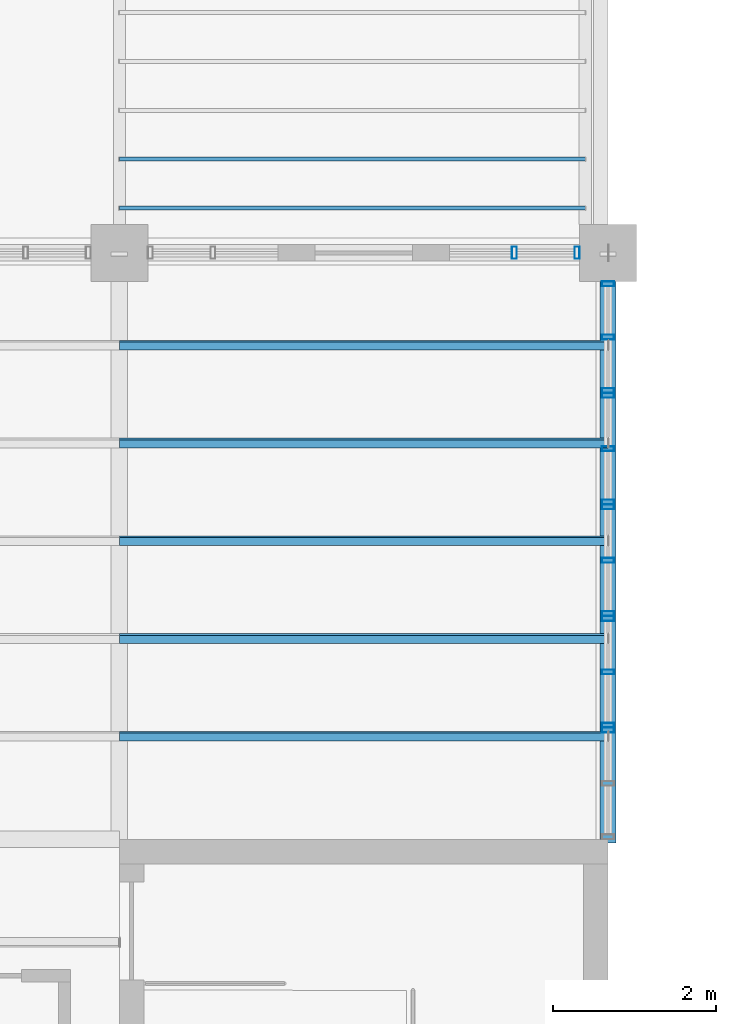
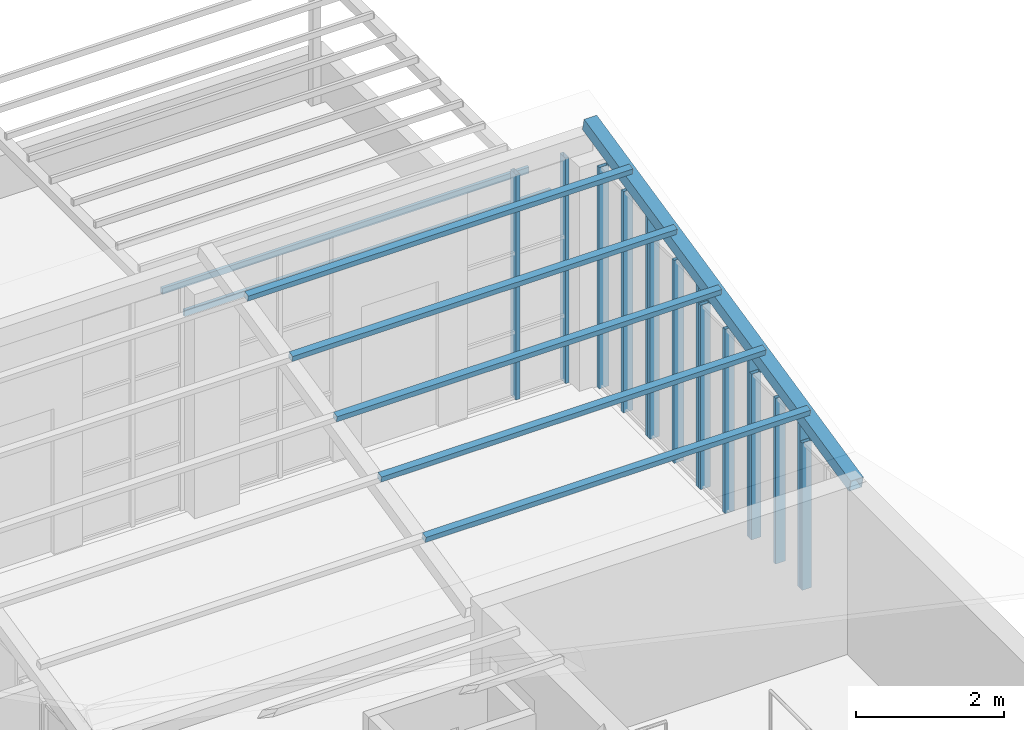
# One storey, part 23 of 51: 23 members, 6 elements without a shape of their own.
"""IFC4 building model written with IfcOpenShell, lengths in metres."""

from ifc_helpers import new_model, si_unit, direction, frame, origin, origin_2d, place, context, subcontext, project, spatial, hollow_rectangle, extrude, material, material_profile, profile_set, type_object, element, aggregate, save


model = new_model("IFC4")

# Units and contexts
model_context = context("Model", 3, precision=1e-05, world=origin(), true_north=direction((0.0, 1.0)))
body_context = subcontext(model_context, "Body", "Model", "MODEL_VIEW")
ifc_project = project(units=[si_unit("LENGTHUNIT", "METRE"), si_unit("AREAUNIT", "SQUARE_METRE"), si_unit("VOLUMEUNIT", "CUBIC_METRE"), si_unit("PLANEANGLEUNIT", "RADIAN"), si_unit("MASSUNIT", "GRAM", prefix="KILO")], contexts=[model_context])

# Site, building, storey
site_placement = place(None, origin())
site = spatial("IfcSite", under=ifc_project, at=site_placement, CompositionType="ELEMENT")
building_placement = place(site_placement, origin())
building = spatial("IfcBuilding", under=site, at=building_placement, Name="Laocheng Heights Fire and Rescue Headquarters", CompositionType="ELEMENT")
storey_placement = place(building_placement, frame((0.0, 0.0, 21.0)))
storey = spatial("IfcBuildingStorey", under=building, at=storey_placement, Name="L05", CompositionType="ELEMENT", Elevation=21.0)

# Curtain wall, member
ifc_material_1 = material(Name="Dark anodised aluminium unitised curtain wall, low-e double glazing", Category="aluminium")
curtain_wall_type_1 = type_object("IfcCurtainWallType", Name="CW 1370 x 2429 CREW LOUNGE END UNIT", PredefinedType="NOTDEFINED", material=ifc_material_1)
curtain_wall_1_placement = place(storey_placement, origin())
curtain_wall_1 = element("IfcCurtainWall", 1, at=curtain_wall_1_placement, inside=storey, type_object=curtain_wall_type_1, Name="X21-W CREW LOUNGE EAST 43 1", PredefinedType="NOTDEFINED")
ifc_material_2 = material(Name="Dark anodised aluminium 6063-T5 extrusion", Category="aluminium")
ifc_material_profile_1 = material_profile(ifc_material_2, hollow_rectangle(XDim=0.14990234375, YDim=0.06005859375, WallThickness=0.0029296875, at=origin_2d()), Name="AL MULLION 150x60x3 CREW LOUNGE END UNIT")
ifc_profile_set_1 = profile_set([ifc_material_profile_1], Name="Dark anodised aluminium 6063-T5 extrusion")
member_type_1 = type_object("IfcMemberType", Name="AL MULLION 150x60x3 CREW LOUNGE END UNIT", PredefinedType="MULLION", material=ifc_profile_set_1)
member_1_placement = place(storey_placement, frame((108.0, 44.5400390625, 0.0), z_axis=(0.0, 0.0, 1.0), x_axis=(-1.0, 0.0, 0.0)))
member_1 = element("IfcMember", 2, at=member_1_placement, type_object=member_type_1, Name="X21-W mullion 3", PredefinedType="MULLION", context=body_context, shape_type="SweptSolid", body=[
    extrude(hollow_rectangle(XDim=0.14990234375, YDim=0.06005859375, WallThickness=0.0029296875, at=origin_2d()), origin(), (0.0, 0.0, 1.0), 2.428955078125),
])
aggregate(curtain_wall_1, [member_1])

# Curtain wall, members
ifc_material_3 = material(Name="Dark anodised aluminium unitised curtain wall, low-e double glazing", Category="aluminium")
curtain_wall_type_2 = type_object("IfcCurtainWallType", Name="CW 1370 x 2733 CREW LOUNGE END UNIT", PredefinedType="NOTDEFINED", material=ifc_material_3)
curtain_wall_2_placement = place(storey_placement, origin())
curtain_wall_2 = element("IfcCurtainWall", 3, at=curtain_wall_2_placement, inside=storey, type_object=curtain_wall_type_2, Name="X22-W CREW LOUNGE EAST 43 2", PredefinedType="NOTDEFINED")
member_2_placement = place(storey_placement, frame((108.0, 44.60009765625, 0.0), z_axis=(0.0, 0.0, 1.0), x_axis=(-1.0, 0.0, 0.0)))
member_2 = element("IfcMember", 4, at=member_2_placement, type_object=member_type_1, Name="X22-W mullion 1", PredefinedType="MULLION", context=body_context, shape_type="SweptSolid", body=[
    extrude(hollow_rectangle(XDim=0.14990234375, YDim=0.06005859375, WallThickness=0.0029296875, at=origin_2d()), origin(), (0.0, 0.0, 1.0), 2.7333984375),
])
member_3_placement = place(storey_placement, frame((108.0, 45.2548828125, 0.0), z_axis=(0.0, 0.0, 1.0), x_axis=(-1.0, 0.0, 0.0)))
member_3 = element("IfcMember", 5, at=member_3_placement, type_object=member_type_1, Name="X22-W mullion 2", PredefinedType="MULLION", context=body_context, shape_type="SweptSolid", body=[
    extrude(hollow_rectangle(XDim=0.14990234375, YDim=0.06005859375, WallThickness=0.0029296875, at=origin_2d()), origin(), (0.0, 0.0, 1.0), 2.7333984375),
])
member_4_placement = place(storey_placement, frame((108.0, 45.909912109375, 0.0), z_axis=(0.0, 0.0, 1.0), x_axis=(-1.0, 0.0, 0.0)))
member_4 = element("IfcMember", 6, at=member_4_placement, type_object=member_type_1, Name="X22-W mullion 3", PredefinedType="MULLION", context=body_context, shape_type="SweptSolid", body=[
    extrude(hollow_rectangle(XDim=0.14990234375, YDim=0.06005859375, WallThickness=0.0029296875, at=origin_2d()), origin(), (0.0, 0.0, 1.0), 2.7333984375),
])
aggregate(curtain_wall_2, [member_2, member_3, member_4])

ifc_material_4 = material(Name="Dark anodised aluminium unitised curtain wall, low-e double glazing", Category="aluminium")
curtain_wall_type_3 = type_object("IfcCurtainWallType", Name="CW 1370 x 3038 CREW LOUNGE END UNIT", PredefinedType="NOTDEFINED", material=ifc_material_4)
curtain_wall_3_placement = place(storey_placement, origin())
curtain_wall_3 = element("IfcCurtainWall", 7, at=curtain_wall_3_placement, inside=storey, type_object=curtain_wall_type_3, Name="X23-W CREW LOUNGE EAST 43 3", PredefinedType="NOTDEFINED")
member_5_placement = place(storey_placement, frame((108.0, 45.969970703125, 0.0), z_axis=(0.0, 0.0, 1.0), x_axis=(-1.0, 0.0, 0.0)))
member_5 = element("IfcMember", 8, at=member_5_placement, type_object=member_type_1, Name="X23-W mullion 1", PredefinedType="MULLION", context=body_context, shape_type="SweptSolid", body=[
    extrude(hollow_rectangle(XDim=0.14990234375, YDim=0.06005859375, WallThickness=0.0029296875, at=origin_2d()), origin(), (0.0, 0.0, 1.0), 3.037841796875),
])
member_6_placement = place(storey_placement, frame((108.0, 46.625, 0.0), z_axis=(0.0, 0.0, 1.0), x_axis=(-1.0, 0.0, 0.0)))
member_6 = element("IfcMember", 9, at=member_6_placement, type_object=member_type_1, Name="X23-W mullion 2", PredefinedType="MULLION", context=body_context, shape_type="SweptSolid", body=[
    extrude(hollow_rectangle(XDim=0.14990234375, YDim=0.06005859375, WallThickness=0.0029296875, at=origin_2d()), origin(), (0.0, 0.0, 1.0), 3.037841796875),
])
member_7_placement = place(storey_placement, frame((108.0, 47.280029296875, 0.0), z_axis=(0.0, 0.0, 1.0), x_axis=(-1.0, 0.0, 0.0)))
member_7 = element("IfcMember", 10, at=member_7_placement, type_object=member_type_1, Name="X23-W mullion 3", PredefinedType="MULLION", context=body_context, shape_type="SweptSolid", body=[
    extrude(hollow_rectangle(XDim=0.14990234375, YDim=0.06005859375, WallThickness=0.0029296875, at=origin_2d()), origin(), (0.0, 0.0, 1.0), 3.037841796875),
])
aggregate(curtain_wall_3, [member_5, member_6, member_7])

ifc_material_5 = material(Name="Dark anodised aluminium unitised curtain wall, low-e double glazing", Category="aluminium")
curtain_wall_type_4 = type_object("IfcCurtainWallType", Name="CW 1370 x 3342 CREW LOUNGE END UNIT", PredefinedType="NOTDEFINED", material=ifc_material_5)
curtain_wall_4_placement = place(storey_placement, origin())
curtain_wall_4 = element("IfcCurtainWall", 11, at=curtain_wall_4_placement, inside=storey, type_object=curtain_wall_type_4, Name="X24-W CREW LOUNGE EAST 43 4", PredefinedType="NOTDEFINED")
member_8_placement = place(storey_placement, frame((108.0, 47.340087890625, 0.0), z_axis=(0.0, 0.0, 1.0), x_axis=(-1.0, 0.0, 0.0)))
member_8 = element("IfcMember", 12, at=member_8_placement, type_object=member_type_1, Name="X24-W mullion 1", PredefinedType="MULLION", context=body_context, shape_type="SweptSolid", body=[
    extrude(hollow_rectangle(XDim=0.14990234375, YDim=0.06005859375, WallThickness=0.0029296875, at=origin_2d()), origin(), (0.0, 0.0, 1.0), 3.34228515625),
])
member_9_placement = place(storey_placement, frame((108.0, 47.9951171875, 0.0), z_axis=(0.0, 0.0, 1.0), x_axis=(-1.0, 0.0, 0.0)))
member_9 = element("IfcMember", 13, at=member_9_placement, type_object=member_type_1, Name="X24-W mullion 2", PredefinedType="MULLION", context=body_context, shape_type="SweptSolid", body=[
    extrude(hollow_rectangle(XDim=0.14990234375, YDim=0.06005859375, WallThickness=0.0029296875, at=origin_2d()), origin(), (0.0, 0.0, 1.0), 3.34228515625),
])
member_10_placement = place(storey_placement, frame((108.0, 48.64990234375, 0.0), z_axis=(0.0, 0.0, 1.0), x_axis=(-1.0, 0.0, 0.0)))
member_10 = element("IfcMember", 14, at=member_10_placement, type_object=member_type_1, Name="X24-W mullion 3", PredefinedType="MULLION", context=body_context, shape_type="SweptSolid", body=[
    extrude(hollow_rectangle(XDim=0.14990234375, YDim=0.06005859375, WallThickness=0.0029296875, at=origin_2d()), origin(), (0.0, 0.0, 1.0), 3.34228515625),
])
aggregate(curtain_wall_4, [member_8, member_9, member_10])

ifc_material_6 = material(Name="Dark anodised aluminium unitised curtain wall, low-e double glazing", Category="aluminium")
curtain_wall_type_5 = type_object("IfcCurtainWallType", Name="CW 1370 x 3647 CREW LOUNGE END UNIT", PredefinedType="NOTDEFINED", material=ifc_material_6)
curtain_wall_5_placement = place(storey_placement, origin())
curtain_wall_5 = element("IfcCurtainWall", 15, at=curtain_wall_5_placement, inside=storey, type_object=curtain_wall_type_5, Name="X25-W CREW LOUNGE EAST 43 5", PredefinedType="NOTDEFINED")
member_11_placement = place(storey_placement, frame((108.0, 48.7099609375, 0.0), z_axis=(0.0, 0.0, 1.0), x_axis=(-1.0, 0.0, 0.0)))
member_11 = element("IfcMember", 16, at=member_11_placement, type_object=member_type_1, Name="X25-W mullion 1", PredefinedType="MULLION", context=body_context, shape_type="SweptSolid", body=[
    extrude(hollow_rectangle(XDim=0.14990234375, YDim=0.06005859375, WallThickness=0.0029296875, at=origin_2d()), origin(), (0.0, 0.0, 1.0), 3.646728515625),
])
member_12_placement = place(storey_placement, frame((108.0, 49.364990234375, 0.0), z_axis=(0.0, 0.0, 1.0), x_axis=(-1.0, 0.0, 0.0)))
member_12 = element("IfcMember", 17, at=member_12_placement, type_object=member_type_1, Name="X25-W mullion 2", PredefinedType="MULLION", context=body_context, shape_type="SweptSolid", body=[
    extrude(hollow_rectangle(XDim=0.14990234375, YDim=0.06005859375, WallThickness=0.0029296875, at=origin_2d()), origin(), (0.0, 0.0, 1.0), 3.646728515625),
])
member_13_placement = place(storey_placement, frame((108.0, 50.02001953125, 0.0), z_axis=(0.0, 0.0, 1.0), x_axis=(-1.0, 0.0, 0.0)))
member_13 = element("IfcMember", 18, at=member_13_placement, type_object=member_type_1, Name="X25-W mullion 3", PredefinedType="MULLION", context=body_context, shape_type="SweptSolid", body=[
    extrude(hollow_rectangle(XDim=0.14990234375, YDim=0.06005859375, WallThickness=0.0029296875, at=origin_2d()), origin(), (0.0, 0.0, 1.0), 3.646728515625),
])
aggregate(curtain_wall_5, [member_11, member_12, member_13])

ifc_material_7 = material(Name="Dark anodised aluminium unitised curtain wall, low-e double glazing", Category="aluminium")
curtain_wall_type_6 = type_object("IfcCurtainWallType", Name="CW 1600 x 3714 CREW ROOF LOUNGE GLAZING", PredefinedType="NOTDEFINED", material=ifc_material_7)
curtain_wall_6_placement = place(storey_placement, origin())
curtain_wall_6 = element("IfcCurtainWall", 19, at=curtain_wall_6_placement, inside=storey, type_object=curtain_wall_type_6, Name="X11-W CREW LOUNGE NORTH L05", PredefinedType="NOTDEFINED")
ifc_material_8 = material(Name="Dark anodised aluminium 6063-T5 extrusion", Category="aluminium")
ifc_material_profile_2 = material_profile(ifc_material_8, hollow_rectangle(XDim=0.14990234375, YDim=0.06005859375, WallThickness=0.0029296875, at=origin_2d()), Name="AL MULLION 150x60x3 CREW ROOF LOUNGE GLAZING")
ifc_profile_set_2 = profile_set([ifc_material_profile_2], Name="Dark anodised aluminium 6063-T5 extrusion")
member_type_2 = type_object("IfcMemberType", Name="AL MULLION 150x60x3 CREW ROOF LOUNGE GLAZING", PredefinedType="MULLION", material=ifc_profile_set_2)
member_14_placement = place(storey_placement, frame((106.85009765625, 50.39990234375, 0.0), z_axis=(0.0, 0.0, 1.0), x_axis=(0.0, 1.0, 0.0)))
member_14 = element("IfcMember", 20, at=member_14_placement, type_object=member_type_2, Name="X11-W mullion 2", PredefinedType="MULLION", context=body_context, shape_type="SweptSolid", body=[
    extrude(hollow_rectangle(XDim=0.14990234375, YDim=0.06005859375, WallThickness=0.0029296875, at=origin_2d()), origin(), (0.0, 0.0, 1.0), 3.71435546875),
])
member_15_placement = place(storey_placement, frame((107.6201171875, 50.39990234375, 0.0), z_axis=(0.0, 0.0, 1.0), x_axis=(0.0, 1.0, 0.0)))
member_15 = element("IfcMember", 21, at=member_15_placement, type_object=member_type_2, Name="X11-W mullion 3", PredefinedType="MULLION", context=body_context, shape_type="SweptSolid", body=[
    extrude(hollow_rectangle(XDim=0.14990234375, YDim=0.06005859375, WallThickness=0.0029296875, at=origin_2d()), origin(), (0.0, 0.0, 1.0), 3.71435546875),
])
aggregate(curtain_wall_6, [member_14, member_15])

# Members
ifc_material_9 = material(Name="Steel Q355B", Category="steel")
ifc_material_profile_3 = material_profile(ifc_material_9, hollow_rectangle(XDim=0.10009765625, YDim=0.10009765625, WallThickness=0.0048828125, at=origin_2d()), Name="RHS 100x100x5")
ifc_profile_set_3 = profile_set([ifc_material_profile_3], Name="Steel Q355B")
member_type_3 = type_object("IfcMemberType", Name="RHS 100x100x5 PURLIN", PredefinedType="PURLIN", material=ifc_profile_set_3)
for number, where, z_axis, x_axis, name in (
    (22, (102.0, 44.465087890625, 2.973876953125), (1.0, 0.0, 0.0), (0.0, 0.976187089372, 0.216930326473), "Butterfly purlin N 1.2"),
    (23, (102.0, 45.6650390625, 3.240478515625), (1.0, 0.0, 0.0), (0.0, 0.976187089372, 0.216930326473), "Butterfly purlin N 2.4"),
    (24, (102.0, 46.864990234375, 3.507080078125), (1.0, 0.0, 0.0), (0.0, 0.976187089372, 0.216930326473), "Butterfly purlin N 3.6"),
    (25, (102.0, 48.065185546875, 3.773681640625), (1.0, 0.0, 0.0), (0.0, 0.976187089372, 0.216930326473), "Butterfly purlin N 4.8"),
    (26, (102.0, 49.26513671875, 4.04052734375), (1.0, 0.0, 0.0), (0.0, 0.976187089372, 0.216930326473), "Butterfly purlin N 6"),
):
    element("IfcMember", number, at=place(storey_placement, frame(where, z_axis=z_axis, x_axis=x_axis)), inside=storey, type_object=member_type_3, Name=name, PredefinedType="PURLIN", context=body_context, shape_type="SweptSolid", body=[
        extrude(hollow_rectangle(XDim=0.10009765625, YDim=0.10009765625, WallThickness=0.0048828125, at=origin_2d()), origin(), (0.0, 0.0, 1.0), 6.0),
    ])
ifc_material_10 = material(Name="Steel Q355B", Category="steel")
ifc_material_profile_4 = material_profile(ifc_material_10, hollow_rectangle(XDim=0.199951171875, YDim=0.199951171875, WallThickness=0.008056640625, at=origin_2d()), Name="SHS 200x200x8")
ifc_profile_set_4 = profile_set([ifc_material_profile_4], Name="Steel Q355B")
member_type_4 = type_object("IfcMemberType", Name="SHS 200x200x8 RAFTER", PredefinedType="RAFTER", material=ifc_profile_set_4)
member_16_placement = place(storey_placement, frame((108.0, 50.37841796875, 4.13427734375), z_axis=(0.0, -0.976185502511, -0.216937467227), x_axis=(1.0, 0.0, 0.0)))
element("IfcMember", 27, at=member_16_placement, inside=storey, type_object=member_type_4, Name="Butterfly rafter N 108", PredefinedType="RAFTER", context=body_context, shape_type="SweptSolid", body=[
    extrude(hollow_rectangle(XDim=0.199951171875, YDim=0.199951171875, WallThickness=0.008056640625, at=origin_2d()), origin(), (0.0, 0.0, 1.0), 7.375732421875),
])
ifc_material_11 = material(Name="Steel Q355B", Category="steel")
ifc_material_profile_5 = material_profile(ifc_material_11, hollow_rectangle(XDim=0.050048828125, YDim=0.10009765625, WallThickness=0.00390625, at=origin_2d()), Name="RHS 100x50x4")
ifc_profile_set_5 = profile_set([ifc_material_profile_5], Name="Steel Q355B")
member_type_5 = type_object("IfcMemberType", Name="STEEL TRELLIS JOIST RHS 100x50x4", PredefinedType="MEMBER", material=ifc_profile_set_5)
for number, where, z_axis, x_axis, name in (
    (28, (102.0, 50.949951171875, 2.75), (1.0, 0.0, 0.0), (0.0, 1.0, 0.0), "Trellis crew garden joist"),
    (29, (102.0, 51.550048828125, 2.75), (1.0, 0.0, 0.0), (0.0, 1.0, 0.0), "Trellis crew garden joist"),
):
    element("IfcMember", number, at=place(storey_placement, frame(where, z_axis=z_axis, x_axis=x_axis)), inside=storey, type_object=member_type_5, Name=name, PredefinedType="MEMBER", context=body_context, shape_type="SweptSolid", body=[
        extrude(hollow_rectangle(XDim=0.050048828125, YDim=0.10009765625, WallThickness=0.00390625, at=origin_2d()), origin(), (0.0, 0.0, 1.0), 5.719970703125),
    ])

save(model, "model.ifc")
